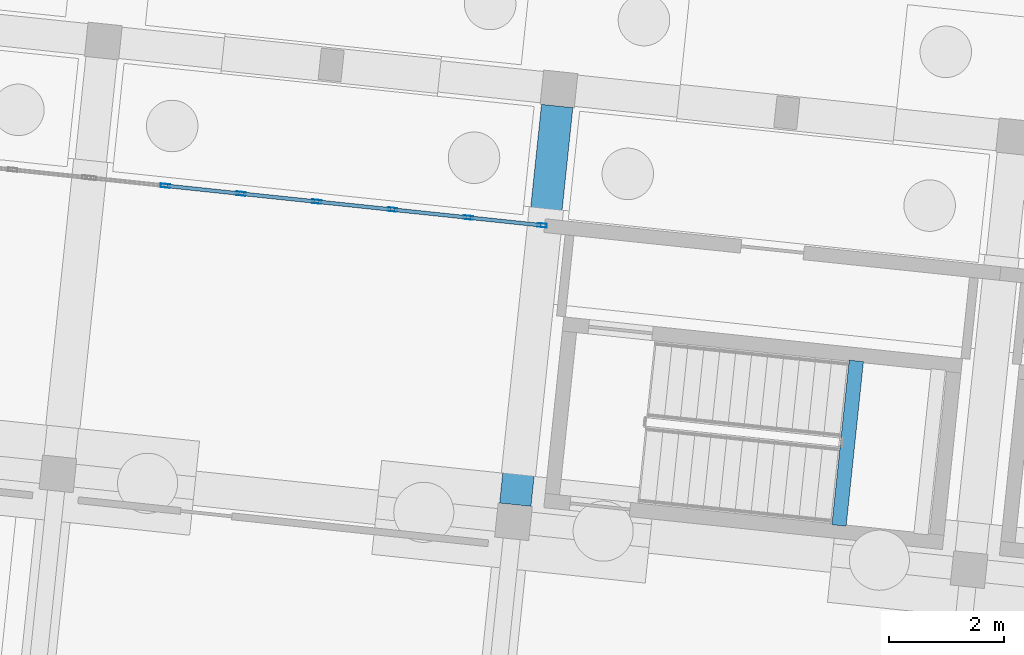
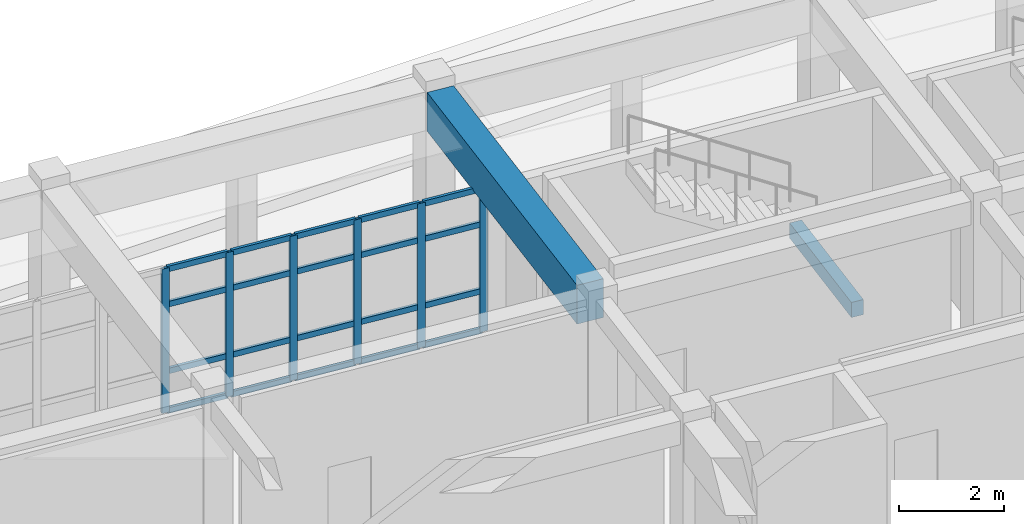
# One storey, part 98 of 154: 26 members, 2 beams, 1 element without a shape of its own.
"""IFC4 building model written with IfcOpenShell, lengths in metres."""

from ifc_helpers import new_model, si_unit, direction, frame, origin, origin_2d, place, context, subcontext, project, spatial, rectangle, hollow_rectangle, extrude, material, material_profile, profile_set, type_object, element, aggregate, save


model = new_model("IFC4")

# Units and contexts
model_context = context("Model", 3, precision=1e-05, world=origin(), true_north=direction((0.0, 1.0)))
body_context = subcontext(model_context, "Body", "Model", "MODEL_VIEW")
ifc_project = project(units=[si_unit("LENGTHUNIT", "METRE"), si_unit("AREAUNIT", "SQUARE_METRE"), si_unit("VOLUMEUNIT", "CUBIC_METRE"), si_unit("PLANEANGLEUNIT", "RADIAN"), si_unit("MASSUNIT", "GRAM", prefix="KILO")], contexts=[model_context])

# Site, building, storey
site_placement = place(None, origin())
site = spatial("IfcSite", under=ifc_project, at=site_placement, CompositionType="ELEMENT")
building_placement = place(site_placement, origin())
building = spatial("IfcBuilding", under=site, at=building_placement, Name="Kestramere Prow Commons", CompositionType="ELEMENT")
storey_placement = place(building_placement, origin())
storey = spatial("IfcBuildingStorey", under=building, at=storey_placement, Name="L00", CompositionType="ELEMENT", Elevation=0.0)

# Beam
ifc_material_1 = material(Name="Concrete C40/50", Category="concrete")
ifc_material_profile_1 = material_profile(ifc_material_1, rectangle(XDim=0.25, YDim=0.35009765625, at=origin_2d()), Name="PC-BM 250x350")
ifc_profile_set_1 = profile_set([ifc_material_profile_1], Name="Concrete C40/50")
beam_type_1 = type_object("IfcBeamType", Name="BM-ST-TRIM", PredefinedType="BEAM", material=ifc_profile_set_1)
beam_1_placement = place(storey_placement, frame((140.807373046875, 104.1611328125, 1.875), z_axis=(0.104504476959, 0.994524416138, 0.0), x_axis=(-0.994524416138, 0.104504476959, 0.0)))
element("IfcBeam", 1, at=beam_1_placement, inside=storey, type_object=beam_type_1, Name="ST-B1 L00 Landing Trimmer Beam 1A", PredefinedType="BEAM", context=body_context, shape_type="SweptSolid", body=[
    extrude(rectangle(XDim=0.25, YDim=0.35009765625, at=origin_2d()), origin(), (0.0, 0.0, 1.0), 2.889892578125),
])

# Curtain wall, members
ifc_material_2 = material(Name="Anodised Aluminium and Low-E Glass", Category="aluminium")
curtain_wall_type = type_object("IfcCurtainWallType", Name="CW-05 Glazed Curtain Wall 7980x3350", PredefinedType="USERDEFINED", material=ifc_material_2)
curtain_wall_placement = place(storey_placement, origin())
curtain_wall = element("IfcCurtainWall", 2, at=curtain_wall_placement, inside=storey, type_object=curtain_wall_type, Name="Block B L00 North Courtyard Storefront 3", ObjectType="GLAZED CURTAIN WALL", PredefinedType="USERDEFINED")
ifc_material_3 = material(Name="Anodised Aluminium 6063-T6", Category="aluminium")
ifc_material_profile_2 = material_profile(ifc_material_3, hollow_rectangle(XDim=0.06494140625, YDim=0.159912109375, WallThickness=0.00390625, at=origin_2d()), Name="ALU-MUL 65x160")
ifc_profile_set_2 = profile_set([ifc_material_profile_2], Name="Anodised Aluminium 6063-T6")
member_type_1 = type_object("IfcMemberType", Name="CW-MUL-65x160", PredefinedType="MULLION", material=ifc_profile_set_2)
member_1_placement = place(storey_placement, frame((129.04296875, 110.09326171875, 0.0), z_axis=(0.0, 0.0, 1.0), x_axis=(0.104528442716, 0.994521897528, 0.0)))
member_1 = element("IfcMember", 3, at=member_1_placement, type_object=member_type_1, Name="CW-05 mullion 2", PredefinedType="MULLION", context=body_context, shape_type="SweptSolid", body=[
    extrude(hollow_rectangle(XDim=0.06494140625, YDim=0.159912109375, WallThickness=0.00390625, at=origin_2d()), origin(), (0.0, 0.0, 1.0), 3.35009765625),
])
member_2_placement = place(storey_placement, frame((130.36572265625, 109.954345703125, 0.0), z_axis=(0.0, 0.0, 1.0), x_axis=(0.104528442716, 0.994521897528, 0.0)))
member_2 = element("IfcMember", 4, at=member_2_placement, type_object=member_type_1, Name="CW-05 mullion 3", PredefinedType="MULLION", context=body_context, shape_type="SweptSolid", body=[
    extrude(hollow_rectangle(XDim=0.06494140625, YDim=0.159912109375, WallThickness=0.00390625, at=origin_2d()), origin(), (0.0, 0.0, 1.0), 3.35009765625),
])
member_3_placement = place(storey_placement, frame((131.688232421875, 109.815185546875, 0.0), z_axis=(0.0, 0.0, 1.0), x_axis=(0.104528442716, 0.994521897528, 0.0)))
member_3 = element("IfcMember", 5, at=member_3_placement, type_object=member_type_1, Name="CW-05 mullion 4", PredefinedType="MULLION", context=body_context, shape_type="SweptSolid", body=[
    extrude(hollow_rectangle(XDim=0.06494140625, YDim=0.159912109375, WallThickness=0.00390625, at=origin_2d()), origin(), (0.0, 0.0, 1.0), 3.35009765625),
])
member_4_placement = place(storey_placement, frame((133.010986328125, 109.67626953125, 0.0), z_axis=(0.0, 0.0, 1.0), x_axis=(0.104528442716, 0.994521897528, 0.0)))
member_4 = element("IfcMember", 6, at=member_4_placement, type_object=member_type_1, Name="CW-05 mullion 5", PredefinedType="MULLION", context=body_context, shape_type="SweptSolid", body=[
    extrude(hollow_rectangle(XDim=0.06494140625, YDim=0.159912109375, WallThickness=0.00390625, at=origin_2d()), origin(), (0.0, 0.0, 1.0), 3.35009765625),
])
member_5_placement = place(storey_placement, frame((134.333740234375, 109.537109375, 0.0), z_axis=(0.0, 0.0, 1.0), x_axis=(0.104528442716, 0.994521897528, 0.0)))
member_5 = element("IfcMember", 7, at=member_5_placement, type_object=member_type_1, Name="CW-05 mullion 6", PredefinedType="MULLION", context=body_context, shape_type="SweptSolid", body=[
    extrude(hollow_rectangle(XDim=0.06494140625, YDim=0.159912109375, WallThickness=0.00390625, at=origin_2d()), origin(), (0.0, 0.0, 1.0), 3.35009765625),
])
member_6_placement = place(storey_placement, frame((135.624267578125, 109.401611328125, 0.0), z_axis=(0.0, 0.0, 1.0), x_axis=(0.104528442716, 0.994521897528, 0.0)))
member_6 = element("IfcMember", 8, at=member_6_placement, type_object=member_type_1, Name="CW-05 mullion 7", PredefinedType="MULLION", context=body_context, shape_type="SweptSolid", body=[
    extrude(hollow_rectangle(XDim=0.06494140625, YDim=0.159912109375, WallThickness=0.00390625, at=origin_2d()), origin(), (0.0, 0.0, 1.0), 3.35009765625),
])
ifc_material_profile_3 = material_profile(ifc_material_3, hollow_rectangle(XDim=0.06494140625, YDim=0.1298828125, WallThickness=0.00390625, at=origin_2d()), Name="ALU-TRN 65x130")
ifc_profile_set_3 = profile_set([ifc_material_profile_3], Name="Anodised Aluminium 6063-T6")
member_type_2 = type_object("IfcMemberType", Name="CW-TRN-65x130", PredefinedType="USERDEFINED", material=ifc_profile_set_3)
member_7_placement = place(storey_placement, frame((129.0751953125, 110.08984375, 0.032470703125), z_axis=(0.994513909819, -0.104604412793, 0.0), x_axis=(0.104604412793, 0.994513909819, 0.0)))
member_7 = element("IfcMember", 9, at=member_7_placement, type_object=member_type_2, Name="CW-05 transom 2.1", ObjectType="TRANSOM", PredefinedType="USERDEFINED", context=body_context, shape_type="SweptSolid", body=[
    extrude(hollow_rectangle(XDim=0.06494140625, YDim=0.1298828125, WallThickness=0.00390625, at=origin_2d()), origin(), (0.0, 0.0, 1.0), 1.264892578125),
])
member_8_placement = place(storey_placement, frame((129.0751953125, 110.08984375, 0.949951171875), z_axis=(0.994513909819, -0.104604412793, 0.0), x_axis=(0.104604412793, 0.994513909819, 0.0)))
member_8 = element("IfcMember", 10, at=member_8_placement, type_object=member_type_2, Name="CW-05 transom 2.2", ObjectType="TRANSOM", PredefinedType="USERDEFINED", context=body_context, shape_type="SweptSolid", body=[
    extrude(hollow_rectangle(XDim=0.06494140625, YDim=0.1298828125, WallThickness=0.00390625, at=origin_2d()), origin(), (0.0, 0.0, 1.0), 1.264892578125),
])
member_9_placement = place(storey_placement, frame((129.0751953125, 110.08984375, 2.5), z_axis=(0.994513909819, -0.104604412793, 0.0), x_axis=(0.104604412793, 0.994513909819, 0.0)))
member_9 = element("IfcMember", 11, at=member_9_placement, type_object=member_type_2, Name="CW-05 transom 2.3", ObjectType="TRANSOM", PredefinedType="USERDEFINED", context=body_context, shape_type="SweptSolid", body=[
    extrude(hollow_rectangle(XDim=0.06494140625, YDim=0.1298828125, WallThickness=0.00390625, at=origin_2d()), origin(), (0.0, 0.0, 1.0), 1.264892578125),
])
member_10_placement = place(storey_placement, frame((129.0751953125, 110.08984375, 3.3173828125), z_axis=(0.994513909819, -0.104604412793, 0.0), x_axis=(0.104604412793, 0.994513909819, 0.0)))
member_10 = element("IfcMember", 12, at=member_10_placement, type_object=member_type_2, Name="CW-05 transom 2.4", ObjectType="TRANSOM", PredefinedType="USERDEFINED", context=body_context, shape_type="SweptSolid", body=[
    extrude(hollow_rectangle(XDim=0.06494140625, YDim=0.1298828125, WallThickness=0.00390625, at=origin_2d()), origin(), (0.0, 0.0, 1.0), 1.264892578125),
])
member_11_placement = place(storey_placement, frame((130.39794921875, 109.950927734375, 0.032470703125), z_axis=(0.994513909819, -0.104604412793, 0.0), x_axis=(0.104604412793, 0.994513909819, 0.0)))
member_11 = element("IfcMember", 13, at=member_11_placement, type_object=member_type_2, Name="CW-05 transom 3.1", ObjectType="TRANSOM", PredefinedType="USERDEFINED", context=body_context, shape_type="SweptSolid", body=[
    extrude(hollow_rectangle(XDim=0.06494140625, YDim=0.1298828125, WallThickness=0.00390625, at=origin_2d()), origin(), (0.0, 0.0, 1.0), 1.264892578125),
])
member_12_placement = place(storey_placement, frame((130.39794921875, 109.950927734375, 0.949951171875), z_axis=(0.994513909819, -0.104604412793, 0.0), x_axis=(0.104604412793, 0.994513909819, 0.0)))
member_12 = element("IfcMember", 14, at=member_12_placement, type_object=member_type_2, Name="CW-05 transom 3.2", ObjectType="TRANSOM", PredefinedType="USERDEFINED", context=body_context, shape_type="SweptSolid", body=[
    extrude(hollow_rectangle(XDim=0.06494140625, YDim=0.1298828125, WallThickness=0.00390625, at=origin_2d()), origin(), (0.0, 0.0, 1.0), 1.264892578125),
])
member_13_placement = place(storey_placement, frame((130.39794921875, 109.950927734375, 2.5), z_axis=(0.994513909819, -0.104604412793, 0.0), x_axis=(0.104604412793, 0.994513909819, 0.0)))
member_13 = element("IfcMember", 15, at=member_13_placement, type_object=member_type_2, Name="CW-05 transom 3.3", ObjectType="TRANSOM", PredefinedType="USERDEFINED", context=body_context, shape_type="SweptSolid", body=[
    extrude(hollow_rectangle(XDim=0.06494140625, YDim=0.1298828125, WallThickness=0.00390625, at=origin_2d()), origin(), (0.0, 0.0, 1.0), 1.264892578125),
])
member_14_placement = place(storey_placement, frame((130.39794921875, 109.950927734375, 3.3173828125), z_axis=(0.994513909819, -0.104604412793, 0.0), x_axis=(0.104604412793, 0.994513909819, 0.0)))
member_14 = element("IfcMember", 16, at=member_14_placement, type_object=member_type_2, Name="CW-05 transom 3.4", ObjectType="TRANSOM", PredefinedType="USERDEFINED", context=body_context, shape_type="SweptSolid", body=[
    extrude(hollow_rectangle(XDim=0.06494140625, YDim=0.1298828125, WallThickness=0.00390625, at=origin_2d()), origin(), (0.0, 0.0, 1.0), 1.264892578125),
])
member_15_placement = place(storey_placement, frame((131.720703125, 109.811767578125, 0.032470703125), z_axis=(0.994533969495, -0.104413521734, 0.0), x_axis=(0.104413521734, 0.994533969495, 0.0)))
member_15 = element("IfcMember", 17, at=member_15_placement, type_object=member_type_2, Name="CW-05 transom 4.1", ObjectType="TRANSOM", PredefinedType="USERDEFINED", context=body_context, shape_type="SweptSolid", body=[
    extrude(hollow_rectangle(XDim=0.06494140625, YDim=0.1298828125, WallThickness=0.00390625, at=origin_2d()), origin(), (0.0, 0.0, 1.0), 1.264892578125),
])
member_16_placement = place(storey_placement, frame((131.720703125, 109.811767578125, 0.949951171875), z_axis=(0.994533969495, -0.104413521734, 0.0), x_axis=(0.104413521734, 0.994533969495, 0.0)))
member_16 = element("IfcMember", 18, at=member_16_placement, type_object=member_type_2, Name="CW-05 transom 4.2", ObjectType="TRANSOM", PredefinedType="USERDEFINED", context=body_context, shape_type="SweptSolid", body=[
    extrude(hollow_rectangle(XDim=0.06494140625, YDim=0.1298828125, WallThickness=0.00390625, at=origin_2d()), origin(), (0.0, 0.0, 1.0), 1.264892578125),
])
member_17_placement = place(storey_placement, frame((131.720703125, 109.811767578125, 2.5), z_axis=(0.994533969495, -0.104413521734, 0.0), x_axis=(0.104413521734, 0.994533969495, 0.0)))
member_17 = element("IfcMember", 19, at=member_17_placement, type_object=member_type_2, Name="CW-05 transom 4.3", ObjectType="TRANSOM", PredefinedType="USERDEFINED", context=body_context, shape_type="SweptSolid", body=[
    extrude(hollow_rectangle(XDim=0.06494140625, YDim=0.1298828125, WallThickness=0.00390625, at=origin_2d()), origin(), (0.0, 0.0, 1.0), 1.264892578125),
])
member_18_placement = place(storey_placement, frame((131.720703125, 109.811767578125, 3.3173828125), z_axis=(0.994533969495, -0.104413521734, 0.0), x_axis=(0.104413521734, 0.994533969495, 0.0)))
member_18 = element("IfcMember", 20, at=member_18_placement, type_object=member_type_2, Name="CW-05 transom 4.4", ObjectType="TRANSOM", PredefinedType="USERDEFINED", context=body_context, shape_type="SweptSolid", body=[
    extrude(hollow_rectangle(XDim=0.06494140625, YDim=0.1298828125, WallThickness=0.00390625, at=origin_2d()), origin(), (0.0, 0.0, 1.0), 1.264892578125),
])
member_19_placement = place(storey_placement, frame((133.04345703125, 109.6728515625, 0.032470703125), z_axis=(0.994513909819, -0.104604412793, 0.0), x_axis=(0.104604412793, 0.994513909819, 0.0)))
member_19 = element("IfcMember", 21, at=member_19_placement, type_object=member_type_2, Name="CW-05 transom 5.1", ObjectType="TRANSOM", PredefinedType="USERDEFINED", context=body_context, shape_type="SweptSolid", body=[
    extrude(hollow_rectangle(XDim=0.06494140625, YDim=0.1298828125, WallThickness=0.00390625, at=origin_2d()), origin(), (0.0, 0.0, 1.0), 1.264892578125),
])
member_20_placement = place(storey_placement, frame((133.04345703125, 109.6728515625, 0.949951171875), z_axis=(0.994513909819, -0.104604412793, 0.0), x_axis=(0.104604412793, 0.994513909819, 0.0)))
member_20 = element("IfcMember", 22, at=member_20_placement, type_object=member_type_2, Name="CW-05 transom 5.2", ObjectType="TRANSOM", PredefinedType="USERDEFINED", context=body_context, shape_type="SweptSolid", body=[
    extrude(hollow_rectangle(XDim=0.06494140625, YDim=0.1298828125, WallThickness=0.00390625, at=origin_2d()), origin(), (0.0, 0.0, 1.0), 1.264892578125),
])
member_21_placement = place(storey_placement, frame((133.04345703125, 109.6728515625, 2.5), z_axis=(0.994513909819, -0.104604412793, 0.0), x_axis=(0.104604412793, 0.994513909819, 0.0)))
member_21 = element("IfcMember", 23, at=member_21_placement, type_object=member_type_2, Name="CW-05 transom 5.3", ObjectType="TRANSOM", PredefinedType="USERDEFINED", context=body_context, shape_type="SweptSolid", body=[
    extrude(hollow_rectangle(XDim=0.06494140625, YDim=0.1298828125, WallThickness=0.00390625, at=origin_2d()), origin(), (0.0, 0.0, 1.0), 1.264892578125),
])
member_22_placement = place(storey_placement, frame((133.04345703125, 109.6728515625, 3.3173828125), z_axis=(0.994513909819, -0.104604412793, 0.0), x_axis=(0.104604412793, 0.994513909819, 0.0)))
member_22 = element("IfcMember", 24, at=member_22_placement, type_object=member_type_2, Name="CW-05 transom 5.4", ObjectType="TRANSOM", PredefinedType="USERDEFINED", context=body_context, shape_type="SweptSolid", body=[
    extrude(hollow_rectangle(XDim=0.06494140625, YDim=0.1298828125, WallThickness=0.00390625, at=origin_2d()), origin(), (0.0, 0.0, 1.0), 1.264892578125),
])
member_23_placement = place(storey_placement, frame((134.365966796875, 109.53369140625, 0.032470703125), z_axis=(0.994536882975, -0.104385767243, 0.0), x_axis=(0.104385767243, 0.994536882975, 0.0)))
member_23 = element("IfcMember", 25, at=member_23_placement, type_object=member_type_2, Name="CW-05 transom 6.1", ObjectType="TRANSOM", PredefinedType="USERDEFINED", context=body_context, shape_type="SweptSolid", body=[
    extrude(hollow_rectangle(XDim=0.06494140625, YDim=0.1298828125, WallThickness=0.00390625, at=origin_2d()), origin(), (0.0, 0.0, 1.0), 1.232666015625),
])
member_24_placement = place(storey_placement, frame((134.365966796875, 109.53369140625, 0.949951171875), z_axis=(0.994536882975, -0.104385767243, 0.0), x_axis=(0.104385767243, 0.994536882975, 0.0)))
member_24 = element("IfcMember", 26, at=member_24_placement, type_object=member_type_2, Name="CW-05 transom 6.2", ObjectType="TRANSOM", PredefinedType="USERDEFINED", context=body_context, shape_type="SweptSolid", body=[
    extrude(hollow_rectangle(XDim=0.06494140625, YDim=0.1298828125, WallThickness=0.00390625, at=origin_2d()), origin(), (0.0, 0.0, 1.0), 1.232666015625),
])
member_25_placement = place(storey_placement, frame((134.365966796875, 109.53369140625, 2.5), z_axis=(0.994536882975, -0.104385767243, 0.0), x_axis=(0.104385767243, 0.994536882975, 0.0)))
member_25 = element("IfcMember", 27, at=member_25_placement, type_object=member_type_2, Name="CW-05 transom 6.3", ObjectType="TRANSOM", PredefinedType="USERDEFINED", context=body_context, shape_type="SweptSolid", body=[
    extrude(hollow_rectangle(XDim=0.06494140625, YDim=0.1298828125, WallThickness=0.00390625, at=origin_2d()), origin(), (0.0, 0.0, 1.0), 1.232666015625),
])
member_26_placement = place(storey_placement, frame((134.365966796875, 109.53369140625, 3.3173828125), z_axis=(0.994536882975, -0.104385767243, 0.0), x_axis=(0.104385767243, 0.994536882975, 0.0)))
member_26 = element("IfcMember", 28, at=member_26_placement, type_object=member_type_2, Name="CW-05 transom 6.4", ObjectType="TRANSOM", PredefinedType="USERDEFINED", context=body_context, shape_type="SweptSolid", body=[
    extrude(hollow_rectangle(XDim=0.06494140625, YDim=0.1298828125, WallThickness=0.00390625, at=origin_2d()), origin(), (0.0, 0.0, 1.0), 1.232666015625),
])
aggregate(curtain_wall, [member_1, member_2, member_3, member_4, member_5, member_6, member_7, member_8, member_9, member_10, member_11, member_12, member_13, member_14, member_15, member_16, member_17, member_18, member_19, member_20, member_21, member_22, member_23, member_24, member_25, member_26])

# Beam
ifc_material_4 = material(Name="Precast concrete C40/50", Category="concrete")
ifc_material_profile_4 = material_profile(ifc_material_4, rectangle(XDim=0.550048828125, YDim=0.89990234375, at=origin_2d()), Name="PC-TG 550x900")
ifc_profile_set_4 = profile_set([ifc_material_profile_4], Name="Precast concrete C40/50")
beam_type_2 = type_object("IfcBeamType", Name="TG-01 PC-TG 550x900 (EX)", PredefinedType="BEAM", material=ifc_profile_set_4)
beam_2_placement = place(storey_placement, frame((135.154296875, 104.52392578125, 3.800048828125), z_axis=(0.104526832686, 0.994522066748, 0.0), x_axis=(-0.994522066748, 0.104526832686, 0.0)))
element("IfcBeam", 29, at=beam_2_placement, inside=storey, type_object=beam_type_2, Name="Block B L00 N Colonnade Transfer Girder 4", PredefinedType="BEAM", context=body_context, shape_type="SweptSolid", body=[
    extrude(rectangle(XDim=0.550048828125, YDim=0.89990234375, at=origin_2d()), origin(), (0.0, 0.0, 1.0), 7.0),
])

save(model, "model.ifc")
